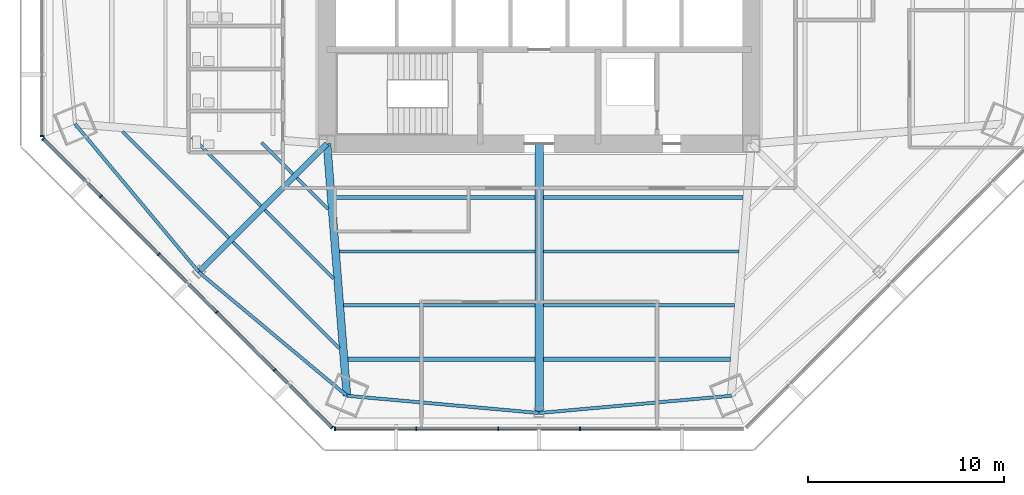
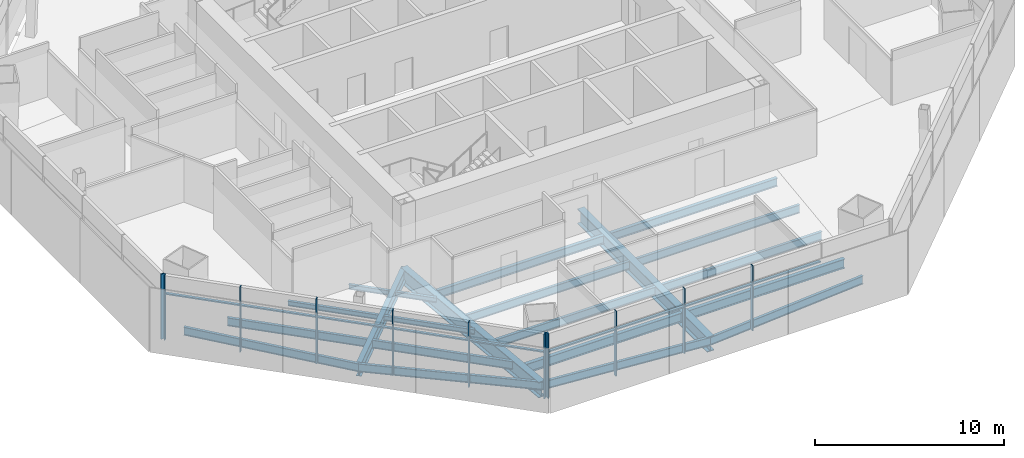
# One storey, part 2 of 16: 21 beams, 20 members, 3 elements without a shape of their own.
"""IFC4 building model written with IfcOpenShell, lengths in metres."""

from ifc_helpers import new_model, si_unit, direction, frame, origin, origin_2d, place, context, subcontext, project, spatial, rectangle, i_section, extrude, source, transform, mapped, material, material_profile, profile_set, type_object, type_shapes, element, aggregate, save


model = new_model("IFC4")

# Units and contexts
model_context = context("Model", 3, precision=1e-05, world=origin(), true_north=direction((0.0, 1.0)))
body_context = subcontext(model_context, "Body", "Model", "MODEL_VIEW")
ifc_project = project(units=[si_unit("LENGTHUNIT", "METRE"), si_unit("AREAUNIT", "SQUARE_METRE"), si_unit("VOLUMEUNIT", "CUBIC_METRE"), si_unit("PLANEANGLEUNIT", "RADIAN"), si_unit("MASSUNIT", "GRAM", prefix="KILO")], contexts=[model_context])

# Site, building, storey
site_placement = place(None, origin())
site = spatial("IfcSite", under=ifc_project, at=site_placement, CompositionType="ELEMENT")
building_placement = place(site_placement, origin())
building = spatial("IfcBuilding", under=site, at=building_placement, Name="Mashrafa Tower", CompositionType="ELEMENT")
storey_placement = place(building_placement, frame((0.0, 0.0, 96.0)))
storey = spatial("IfcBuildingStorey", under=building, at=storey_placement, Name="L21", CompositionType="ELEMENT", Elevation=96.0)

# Beams
ifc_material_1 = material(Name="Steel ASTM A992", Category="steel")
ifc_material_profile_1 = material_profile(ifc_material_1, i_section(OverallWidth=0.164794921875, OverallDepth=0.309814453125, WebThickness=0.005859375, FlangeThickness=0.009765625, FilletRadius=0.007568359375, at=origin_2d()), Name="W12X26")
ifc_profile_set_1 = profile_set([ifc_material_profile_1], Name="Steel ASTM A992")
beam_type_1 = type_object("IfcBeamType", Name="Beam W12X26", PredefinedType="BEAM", material=ifc_profile_set_1)
beam_1_placement = place(storey_placement, frame((-14.166748046875, -13.960205078125, -0.31982421875), z_axis=(-0.707082131725, 0.707131429789, 0.0), x_axis=(-0.707131429789, -0.707082131725, 0.0)))
element("IfcBeam", 1, at=beam_1_placement, inside=storey, type_object=beam_type_1, Name="Floor beam L21 012", PredefinedType="BEAM", context=body_context, shape_type="SweptSolid", body=[
    extrude(i_section(OverallWidth=0.164794921875, OverallDepth=0.309814453125, WebThickness=0.005859375, FlangeThickness=0.009765625, FilletRadius=0.007568359375, at=origin_2d()), origin(), (0.0, 0.0, 1.0), 4.952392578125),
])
for number, where, z_axis, x_axis, name in (
    (2, (-12.534912109375, -12.328369140625, -0.31982421875), (-0.707106781187, 0.707106781187, 0.0), (-0.707106781187, -0.707106781187, 0.0), "Floor beam L21 016"),
    (3, (-10.73828125, -14.125, -0.31982421875), (-0.707106781187, 0.707106781187, 0.0), (-0.707106781187, -0.707106781187, 0.0), "Floor beam L21 019"),
):
    element("IfcBeam", number, at=place(storey_placement, frame(where, z_axis=z_axis, x_axis=x_axis)), inside=storey, type_object=beam_type_1, Name=name, PredefinedType="BEAM", context=body_context, shape_type="SweptSolid", body=[
        extrude(i_section(OverallWidth=0.164794921875, OverallDepth=0.309814453125, WebThickness=0.005859375, FlangeThickness=0.009765625, FilletRadius=0.007568359375, at=origin_2d()), origin(), (0.0, 0.0, 1.0), 2.248779296875),
    ])
beam_2_placement = place(storey_placement, frame((-10.458251953125, -17.66845703125, -0.31982421875), z_axis=(-0.707131429789, 0.707082131725, 0.0), x_axis=(-0.707082131725, -0.707131429789, 0.0)))
element("IfcBeam", 4, at=beam_2_placement, inside=storey, type_object=beam_type_1, Name="Floor beam L21 021", PredefinedType="BEAM", context=body_context, shape_type="SweptSolid", body=[
    extrude(i_section(OverallWidth=0.164794921875, OverallDepth=0.309814453125, WebThickness=0.005859375, FlangeThickness=0.009765625, FilletRadius=0.007568359375, at=origin_2d()), origin(), (0.0, 0.0, 1.0), 4.952392578125),
])
ifc_material_2 = material(Name="Steel ASTM A992", Category="steel")
ifc_material_profile_2 = material_profile(ifc_material_2, i_section(OverallWidth=0.1650390625, OverallDepth=0.52587890625, WebThickness=0.0087890625, FlangeThickness=0.011474609375, FilletRadius=0.0126953125, at=origin_2d()), Name="W21X44")
ifc_profile_set_2 = profile_set([ifc_material_profile_2], Name="Steel ASTM A992")
beam_type_2 = type_object("IfcBeamType", Name="Beam W21X44", PredefinedType="BEAM", material=ifc_profile_set_2)
for number, where, z_axis, x_axis, name in (
    (5, (-0.212158203125, -19.022216796875, -0.427978515625), (-1.0, 0.0, 0.0), (0.0, -1.0, 0.0), "Floor beam L21 026"),
    (6, (9.948486328125, -19.022216796875, -0.427978515625), (-1.0, 0.0, 0.0), (0.0, -1.0, 0.0), "Floor beam L21 035"),
):
    element("IfcBeam", number, at=place(storey_placement, frame(where, z_axis=z_axis, x_axis=x_axis)), inside=storey, type_object=beam_type_2, Name=name, PredefinedType="BEAM", context=body_context, shape_type="SweptSolid", body=[
        extrude(i_section(OverallWidth=0.1650390625, OverallDepth=0.52587890625, WebThickness=0.0087890625, FlangeThickness=0.011474609375, FilletRadius=0.0126953125, at=origin_2d()), origin(), (0.0, 0.0, 1.0), 9.736328125),
    ])
ifc_material_3 = material(Name="Steel ASTM A992", Category="steel")
ifc_material_profile_3 = material_profile(ifc_material_3, i_section(OverallWidth=0.165771484375, OverallDepth=0.5283203125, WebThickness=0.009765625, FlangeThickness=0.013671875, FilletRadius=0.012939453125, at=origin_2d()), Name="W21X50")
ifc_profile_set_3 = profile_set([ifc_material_profile_3], Name="Steel ASTM A992")
beam_type_3 = type_object("IfcBeamType", Name="Beam W21X50", PredefinedType="BEAM", material=ifc_profile_set_3)
for number, where, z_axis, x_axis, name in (
    (7, (-15.79833984375, -15.591796875, -0.42919921875), (-0.707090836864, 0.707122725149, 0.0), (-0.707122725149, -0.707090836864, 0.0), "Floor beam L21 009"),
    (8, (-10.177978515625, -21.2119140625, -0.42919921875), (-0.707122725149, 0.707090836864, 0.0), (-0.707090836864, -0.707122725149, 0.0), "Floor beam L21 023"),
):
    element("IfcBeam", number, at=place(storey_placement, frame(where, z_axis=z_axis, x_axis=x_axis)), inside=storey, type_object=beam_type_3, Name=name, PredefinedType="BEAM", context=body_context, shape_type="SweptSolid", body=[
        extrude(i_section(OverallWidth=0.165771484375, OverallDepth=0.5283203125, WebThickness=0.009765625, FlangeThickness=0.013671875, FilletRadius=0.012939453125, at=origin_2d()), origin(), (0.0, 0.0, 1.0), 7.656005859375),
    ])
for number, where, z_axis, x_axis, name in (
    (9, (-0.212158203125, -16.281494140625, -0.42919921875), (-1.0, 0.0, 0.0), (0.0, -1.0, 0.0), "Floor beam L21 027"),
    (10, (10.165283203125, -16.281494140625, -0.42919921875), (-1.0, 0.0, 0.0), (0.0, -1.0, 0.0), "Floor beam L21 037"),
):
    element("IfcBeam", number, at=place(storey_placement, frame(where, z_axis=z_axis, x_axis=x_axis)), inside=storey, type_object=beam_type_3, Name=name, PredefinedType="BEAM", context=body_context, shape_type="SweptSolid", body=[
        extrude(i_section(OverallWidth=0.165771484375, OverallDepth=0.5283203125, WebThickness=0.009765625, FlangeThickness=0.013671875, FilletRadius=0.012939453125, at=origin_2d()), origin(), (0.0, 0.0, 1.0), 9.953125),
    ])
for number, where, z_axis, x_axis, name in (
    (11, (-23.62548828125, -9.785888671875, -0.42919921875), (0.641076048698, -0.76747736109, 0.0), (0.76747736109, 0.641076048698, 0.0), "Spandrel beam L21 074"),
    (12, (-17.32666015625, -17.32666015625, -0.42919921875), (0.76747736109, -0.641076048698, 0.0), (0.641076048698, 0.76747736109, 0.0), "Spandrel beam L21 076"),
):
    element("IfcBeam", number, at=place(storey_placement, frame(where, z_axis=z_axis, x_axis=x_axis)), inside=storey, type_object=beam_type_3, Name=name, PredefinedType="BEAM", context=body_context, shape_type="SweptSolid", body=[
        extrude(i_section(OverallWidth=0.165771484375, OverallDepth=0.5283203125, WebThickness=0.009765625, FlangeThickness=0.013671875, FilletRadius=0.012939453125, at=origin_2d()), origin(), (0.0, 0.0, 1.0), 9.825439453125),
    ])
for number, where, z_axis, x_axis, name in (
    (13, (-9.785888671875, -23.62548828125, -0.42919921875), (0.995997631902, -0.089379624328, 0.0), (0.089379624328, 0.995997631902, 0.0), "Spandrel beam L21 078"),
    (14, (0.0, -24.503662109375, -0.42919921875), (0.995997631902, 0.089379624328, 0.0), (-0.089379624328, 0.995997631902, 0.0), "Spandrel beam L21 080"),
):
    element("IfcBeam", number, at=place(storey_placement, frame(where, z_axis=z_axis, x_axis=x_axis)), inside=storey, type_object=beam_type_3, Name=name, PredefinedType="BEAM", context=body_context, shape_type="SweptSolid", body=[
        extrude(i_section(OverallWidth=0.165771484375, OverallDepth=0.5283203125, WebThickness=0.009765625, FlangeThickness=0.013671875, FilletRadius=0.012939453125, at=origin_2d()), origin(), (0.0, 0.0, 1.0), 9.8251953125),
    ])
ifc_material_4 = material(Name="Steel ASTM A992", Category="steel")
ifc_material_profile_4 = material_profile(ifc_material_4, i_section(OverallWidth=0.209228515625, OverallDepth=0.533447265625, WebThickness=0.01025390625, FlangeThickness=0.015625, FilletRadius=0.012939453125, at=origin_2d()), Name="W21X62")
ifc_profile_set_4 = profile_set([ifc_material_profile_4], Name="Steel ASTM A992")
beam_type_4 = type_object("IfcBeamType", Name="Beam W21X62", PredefinedType="BEAM", material=ifc_profile_set_4)
for number, where, z_axis, x_axis, name in (
    (15, (-0.212158203125, -13.540771484375, -0.431640625), (-1.0, 0.0, 0.0), (0.0, -1.0, 0.0), "Floor beam L21 028"),
    (16, (10.382080078125, -13.540771484375, -0.431640625), (-1.0, 0.0, 0.0), (0.0, -1.0, 0.0), "Floor beam L21 039"),
):
    element("IfcBeam", number, at=place(storey_placement, frame(where, z_axis=z_axis, x_axis=x_axis)), inside=storey, type_object=beam_type_4, Name=name, PredefinedType="BEAM", context=body_context, shape_type="SweptSolid", body=[
        extrude(i_section(OverallWidth=0.209228515625, OverallDepth=0.533447265625, WebThickness=0.01025390625, FlangeThickness=0.015625, FilletRadius=0.012939453125, at=origin_2d()), origin(), (0.0, 0.0, 1.0), 10.169921875),
    ])
ifc_material_5 = material(Name="Steel ASTM A992", Category="steel")
ifc_material_profile_5 = material_profile(ifc_material_5, i_section(OverallWidth=0.227783203125, OverallDepth=0.60205078125, WebThickness=0.010498046875, FlangeThickness=0.014892578125, FilletRadius=0.012939453125, at=origin_2d()), Name="W24X68")
ifc_profile_set_5 = profile_set([ifc_material_profile_5], Name="Steel ASTM A992")
beam_type_5 = type_object("IfcBeamType", Name="Beam W24X68", PredefinedType="BEAM", material=ifc_profile_set_5)
for number, where, z_axis, x_axis, name in (
    (17, (-0.212158203125, -21.762939453125, -0.466064453125), (-1.0, 0.0, 0.0), (0.0, -1.0, 0.0), "Floor beam L21 025"),
    (18, (9.73193359375, -21.762939453125, -0.466064453125), (-1.0, 0.0, 0.0), (0.0, -1.0, 0.0), "Floor beam L21 033"),
):
    element("IfcBeam", number, at=place(storey_placement, frame(where, z_axis=z_axis, x_axis=x_axis)), inside=storey, type_object=beam_type_5, Name=name, PredefinedType="BEAM", context=body_context, shape_type="SweptSolid", body=[
        extrude(i_section(OverallWidth=0.227783203125, OverallDepth=0.60205078125, WebThickness=0.010498046875, FlangeThickness=0.014892578125, FilletRadius=0.012939453125, at=origin_2d()), origin(), (0.0, 0.0, 1.0), 9.519775390625),
    ])
ifc_material_6 = material(Name="Steel ASTM A992", Category="steel")
ifc_material_profile_6 = material_profile(ifc_material_6, i_section(OverallWidth=0.2919921875, OverallDepth=0.845703125, WebThickness=0.015380859375, FlangeThickness=0.0244140625, FilletRadius=0.017333984375, at=origin_2d()), Name="W33X141")
ifc_profile_set_6 = profile_set([ifc_material_profile_6], Name="Steel ASTM A992")
beam_type_6 = type_object("IfcBeamType", Name="Beam W33X141", PredefinedType="BEAM", material=ifc_profile_set_6)
beam_3_placement = place(storey_placement, frame((-10.800048828125, -10.800048828125, -0.587890625), z_axis=(-0.707106781187, -0.707106781187, 0.0), x_axis=(0.707106781187, -0.707106781187, 0.0)))
element("IfcBeam", 19, at=beam_3_placement, inside=storey, type_object=beam_type_6, Name="Radial girder L21 058", PredefinedType="BEAM", context=body_context, shape_type="SweptSolid", body=[
    extrude(i_section(OverallWidth=0.2919921875, OverallDepth=0.845703125, WebThickness=0.015380859375, FlangeThickness=0.0244140625, FilletRadius=0.017333984375, at=origin_2d()), origin(), (0.0, 0.0, 1.0), 9.22998046875),
])
ifc_material_7 = material(Name="Steel ASTM A992", Category="steel")
ifc_material_profile_7 = material_profile(ifc_material_7, i_section(OverallWidth=0.424072265625, OverallDepth=0.960205078125, WebThickness=0.028564453125, FlangeThickness=0.051025390625, FilletRadius=0.02001953125, at=origin_2d()), Name="W36X361")
ifc_profile_set_7 = profile_set([ifc_material_profile_7], Name="Steel ASTM A992")
beam_type_7 = type_object("IfcBeamType", Name="Beam W36X361", PredefinedType="BEAM", material=ifc_profile_set_7)
beam_4_placement = place(storey_placement, frame((0.0, -10.800048828125, -0.64501953125), z_axis=(0.0, -1.0, 0.0), x_axis=(1.0, 0.0, 0.0)))
element("IfcBeam", 20, at=beam_4_placement, inside=storey, type_object=beam_type_7, Name="Radial girder L21 064", PredefinedType="BEAM", context=body_context, shape_type="SweptSolid", body=[
    extrude(i_section(OverallWidth=0.424072265625, OverallDepth=0.960205078125, WebThickness=0.028564453125, FlangeThickness=0.051025390625, FilletRadius=0.02001953125, at=origin_2d()), origin(), (0.0, 0.0, 1.0), 13.70361328125),
])
ifc_material_8 = material(Name="Steel ASTM A992", Category="steel")
ifc_material_profile_8 = material_profile(ifc_material_8, i_section(OverallWidth=0.4013671875, OverallDepth=1.010986328125, WebThickness=0.023681640625, FlangeThickness=0.0419921875, FilletRadius=0.02001953125, at=origin_2d()), Name="W40X297")
ifc_profile_set_8 = profile_set([ifc_material_profile_8], Name="Steel ASTM A992")
beam_type_8 = type_object("IfcBeamType", Name="Beam W40X297", PredefinedType="BEAM", material=ifc_profile_set_8)
beam_5_placement = place(storey_placement, frame((-10.800048828125, -10.800048828125, -0.67041015625), z_axis=(0.078828045218, -0.996888228081, 0.0), x_axis=(0.996888228081, 0.078828045218, 0.0)))
element("IfcBeam", 21, at=beam_5_placement, inside=storey, type_object=beam_type_8, Name="Radial girder L21 059", PredefinedType="BEAM", context=body_context, shape_type="SweptSolid", body=[
    extrude(i_section(OverallWidth=0.4013671875, OverallDepth=1.010986328125, WebThickness=0.023681640625, FlangeThickness=0.0419921875, FilletRadius=0.02001953125, at=origin_2d()), origin(), (0.0, 0.0, 1.0), 12.865478515625),
])

# Curtain wall, member
ifc_material_9 = material(Name="Unitised aluminium curtain wall", Category="aluminium")
curtain_wall_type = type_object("IfcCurtainWallType", Name="Office curtain wall, zone 1 CW-A 200 deep", PredefinedType="NOTDEFINED", material=ifc_material_9)
curtain_wall_1_placement = place(storey_placement, origin())
curtain_wall_1 = element("IfcCurtainWall", 22, at=curtain_wall_1_placement, inside=storey, type_object=curtain_wall_type, Name="Office curtain wall, zone 1 L21 west", PredefinedType="NOTDEFINED")
ifc_material_10 = material(Name="Extruded aluminium mullion", Category="aluminium")
ifc_material_profile_9 = material_profile(ifc_material_10, rectangle(XDim=0.199951171875, YDim=0.06494140625, at=origin_2d()), Name="Mullion 65x200")
ifc_profile_set_9 = profile_set([ifc_material_profile_9], Name="Extruded aluminium mullion")
member_type_1 = type_object("IfcMemberType", Name="Mullion CW-A 65 x 200", PredefinedType="MULLION", material=ifc_profile_set_9)
shared_shape_1 = source(origin(), body_context, "Body", "SweptSolid", [
    extrude(rectangle(XDim=0.199951171875, YDim=0.06494140625, at=origin_2d()), origin(), (0.0, 0.0, 1.0), 4.199951171875),
])
type_shapes(member_type_1, [shared_shape_1])
member_1_placement = place(storey_placement, frame((-25.299072265625, -10.395263671875, 0.0), z_axis=(0.0, 0.0, 1.0), x_axis=(1.0, 0.0, 0.0)))
member_1 = element("IfcMember", 23, at=member_1_placement, type_object=member_type_1, Name="CW-A mullion 6", PredefinedType="MULLION", context=body_context, shape_type="MappedRepresentation", body=[
    mapped(shared_shape_1, transform((0.0, 0.0, 0.0))),
])
aggregate(curtain_wall_1, [member_1])

# Curtain wall, members
curtain_wall_2_placement = place(storey_placement, origin())
curtain_wall_2 = element("IfcCurtainWall", 24, at=curtain_wall_2_placement, inside=storey, type_object=curtain_wall_type, Name="Office curtain wall, zone 1 L21 south-west", PredefinedType="NOTDEFINED")
member_2_placement = place(storey_placement, frame((-25.23974609375, -10.53857421875, 0.0), z_axis=(0.0, 0.0, 1.0), x_axis=(0.707106781187, 0.707106781187, 0.0)))
member_2 = element("IfcMember", 25, at=member_2_placement, type_object=member_type_1, Name="CW-A mullion 1", PredefinedType="MULLION", context=body_context, shape_type="MappedRepresentation", body=[
    mapped(shared_shape_1, transform((0.0, 0.0, 0.0))),
])
member_3_placement = place(storey_placement, frame((-22.313232421875, -13.465087890625, 0.0), z_axis=(0.0, 0.0, 1.0), x_axis=(0.707106781187, 0.707106781187, 0.0)))
member_3 = element("IfcMember", 26, at=member_3_placement, type_object=member_type_1, Name="CW-A mullion 2", PredefinedType="MULLION", context=body_context, shape_type="MappedRepresentation", body=[
    mapped(shared_shape_1, transform((0.0, 0.0, 0.0))),
])
member_4_placement = place(storey_placement, frame((-19.36376953125, -16.414306640625, 0.0), z_axis=(0.0, 0.0, 1.0), x_axis=(0.707106781187, 0.707106781187, 0.0)))
member_4 = element("IfcMember", 27, at=member_4_placement, type_object=member_type_1, Name="CW-A mullion 3", PredefinedType="MULLION", context=body_context, shape_type="MappedRepresentation", body=[
    mapped(shared_shape_1, transform((0.0, 0.0, 0.0))),
])
member_5_placement = place(storey_placement, frame((-16.414306640625, -19.36376953125, 0.0), z_axis=(0.0, 0.0, 1.0), x_axis=(0.707106781187, 0.707106781187, 0.0)))
member_5 = element("IfcMember", 28, at=member_5_placement, type_object=member_type_1, Name="CW-A mullion 4", PredefinedType="MULLION", context=body_context, shape_type="MappedRepresentation", body=[
    mapped(shared_shape_1, transform((0.0, 0.0, 0.0))),
])
member_6_placement = place(storey_placement, frame((-13.465087890625, -22.313232421875, 0.0), z_axis=(0.0, 0.0, 1.0), x_axis=(0.707106781187, 0.707106781187, 0.0)))
member_6 = element("IfcMember", 29, at=member_6_placement, type_object=member_type_1, Name="CW-A mullion 5", PredefinedType="MULLION", context=body_context, shape_type="MappedRepresentation", body=[
    mapped(shared_shape_1, transform((0.0, 0.0, 0.0))),
])
member_7_placement = place(storey_placement, frame((-10.53857421875, -25.23974609375, 0.0), z_axis=(0.0, 0.0, 1.0), x_axis=(0.707106781187, 0.707106781187, 0.0)))
member_7 = element("IfcMember", 30, at=member_7_placement, type_object=member_type_1, Name="CW-A mullion 6", PredefinedType="MULLION", context=body_context, shape_type="MappedRepresentation", body=[
    mapped(shared_shape_1, transform((0.0, 0.0, 0.0))),
])

curtain_wall_3_placement = place(storey_placement, origin())
curtain_wall_3 = element("IfcCurtainWall", 31, at=curtain_wall_3_placement, inside=storey, type_object=curtain_wall_type, Name="Office curtain wall, zone 1 L21 south", PredefinedType="NOTDEFINED")
member_8_placement = place(storey_placement, frame((-10.395263671875, -25.299072265625, 0.0), z_axis=(0.0, 0.0, 1.0), x_axis=(0.0, 1.0, 0.0)))
member_8 = element("IfcMember", 32, at=member_8_placement, type_object=member_type_1, Name="CW-A mullion 1", PredefinedType="MULLION", context=body_context, shape_type="MappedRepresentation", body=[
    mapped(shared_shape_1, transform((0.0, 0.0, 0.0))),
])
member_9_placement = place(storey_placement, frame((-6.256591796875, -25.299072265625, 0.0), z_axis=(0.0, 0.0, 1.0), x_axis=(0.0, 1.0, 0.0)))
member_9 = element("IfcMember", 33, at=member_9_placement, type_object=member_type_1, Name="CW-A mullion 2", PredefinedType="MULLION", context=body_context, shape_type="MappedRepresentation", body=[
    mapped(shared_shape_1, transform((0.0, 0.0, 0.0))),
])
member_10_placement = place(storey_placement, frame((-2.08544921875, -25.299072265625, 0.0), z_axis=(0.0, 0.0, 1.0), x_axis=(0.0, 1.0, 0.0)))
member_10 = element("IfcMember", 34, at=member_10_placement, type_object=member_type_1, Name="CW-A mullion 3", PredefinedType="MULLION", context=body_context, shape_type="MappedRepresentation", body=[
    mapped(shared_shape_1, transform((0.0, 0.0, 0.0))),
])
member_11_placement = place(storey_placement, frame((2.08544921875, -25.299072265625, 0.0), z_axis=(0.0, 0.0, 1.0), x_axis=(0.0, 1.0, 0.0)))
member_11 = element("IfcMember", 35, at=member_11_placement, type_object=member_type_1, Name="CW-A mullion 4", PredefinedType="MULLION", context=body_context, shape_type="MappedRepresentation", body=[
    mapped(shared_shape_1, transform((0.0, 0.0, 0.0))),
])

# Member
ifc_material_11 = material(Name="Extruded aluminium transom", Category="aluminium")
ifc_material_profile_10 = material_profile(ifc_material_11, rectangle(XDim=0.159912109375, YDim=0.080078125, at=origin_2d()), Name="Transom 80x160")
ifc_profile_set_10 = profile_set([ifc_material_profile_10], Name="Extruded aluminium transom")
member_type_2 = type_object("IfcMemberType", Name="Transom CW-A 80 x 160", PredefinedType="MULLION", material=ifc_profile_set_10)
shared_shape_2 = source(origin(), body_context, "Body", "SweptSolid", [
    extrude(rectangle(XDim=0.159912109375, YDim=0.080078125, at=origin_2d()), origin(), (0.0, 0.0, 1.0), 4.07373046875),
])
member_12_placement = place(storey_placement, frame((-25.216796875, -10.5615234375, 3.0), z_axis=(0.707136746513, -0.707076814591, 0.0), x_axis=(0.707076814591, 0.707136746513, 0.0)))
member_12 = element("IfcMember", 36, at=member_12_placement, type_object=member_type_2, Name="CW-A transom 1", PredefinedType="MULLION", context=body_context, shape_type="MappedRepresentation", body=[
    mapped(shared_shape_2, transform((0.0, 0.0, 0.0))),
])

member_13_placement = place(storey_placement, frame((-13.44189453125, -22.336181640625, 3.0), z_axis=(0.707076814591, -0.707136746513, 0.0), x_axis=(0.707136746513, 0.707076814591, 0.0)))
member_13 = element("IfcMember", 37, at=member_13_placement, type_object=member_type_2, Name="CW-A transom 5", PredefinedType="MULLION", context=body_context, shape_type="MappedRepresentation", body=[
    mapped(shared_shape_2, transform((0.0, 0.0, 0.0))),
])

member_14_placement = place(storey_placement, frame((-10.36279296875, -25.299072265625, 3.0), z_axis=(1.0, 0.0, 0.0), x_axis=(0.0, 1.0, 0.0)))
member_14 = element("IfcMember", 38, at=member_14_placement, type_object=member_type_2, Name="CW-A transom 1", PredefinedType="MULLION", context=body_context, shape_type="MappedRepresentation", body=[
    mapped(shared_shape_2, transform((0.0, 0.0, 0.0))),
])

shared_shape_3 = source(origin(), body_context, "Body", "SweptSolid", [
    extrude(rectangle(XDim=0.159912109375, YDim=0.080078125, at=origin_2d()), origin(), (0.0, 0.0, 1.0), 4.10595703125),
])
member_15_placement = place(storey_placement, frame((-6.22412109375, -25.299072265625, 3.0), z_axis=(1.0, 0.0, 0.0), x_axis=(0.0, 1.0, 0.0)))
member_15 = element("IfcMember", 39, at=member_15_placement, type_object=member_type_2, Name="CW-A transom 2", PredefinedType="MULLION", context=body_context, shape_type="MappedRepresentation", body=[
    mapped(shared_shape_3, transform((0.0, 0.0, 0.0))),
])

member_16_placement = place(storey_placement, frame((-2.052978515625, -25.299072265625, 3.0), z_axis=(1.0, 0.0, 0.0), x_axis=(0.0, 1.0, 0.0)))
member_16 = element("IfcMember", 40, at=member_16_placement, type_object=member_type_2, Name="CW-A transom 3", PredefinedType="MULLION", context=body_context, shape_type="MappedRepresentation", body=[
    mapped(shared_shape_3, transform((0.0, 0.0, 0.0))),
])

member_17_placement = place(storey_placement, frame((2.1181640625, -25.299072265625, 3.0), z_axis=(1.0, 0.0, 0.0), x_axis=(0.0, 1.0, 0.0)))
member_17 = element("IfcMember", 41, at=member_17_placement, type_object=member_type_2, Name="CW-A transom 4", PredefinedType="MULLION", context=body_context, shape_type="MappedRepresentation", body=[
    mapped(shared_shape_3, transform((0.0, 0.0, 0.0))),
])

aggregate(curtain_wall_3, [member_8, member_9, member_10, member_11, member_14, member_15, member_16, member_17])

shared_shape_4 = source(origin(), body_context, "Body", "SweptSolid", [
    extrude(rectangle(XDim=0.159912109375, YDim=0.080078125, at=origin_2d()), origin(), (0.0, 0.0, 1.0), 4.106201171875),
])
type_shapes(member_type_2, [shared_shape_2, shared_shape_3, shared_shape_4])
member_18_placement = place(storey_placement, frame((-22.290283203125, -13.488037109375, 3.0), z_axis=(0.707136509667, -0.707077051456, 0.0), x_axis=(0.707077051456, 0.707136509667, 0.0)))
member_18 = element("IfcMember", 42, at=member_18_placement, type_object=member_type_2, Name="CW-A transom 2", PredefinedType="MULLION", context=body_context, shape_type="MappedRepresentation", body=[
    mapped(shared_shape_4, transform((0.0, 0.0, 0.0))),
])

member_19_placement = place(storey_placement, frame((-19.3408203125, -16.437255859375, 3.0), z_axis=(0.707106781187, -0.707106781187, 0.0), x_axis=(0.707106781187, 0.707106781187, 0.0)))
member_19 = element("IfcMember", 43, at=member_19_placement, type_object=member_type_2, Name="CW-A transom 3", PredefinedType="MULLION", context=body_context, shape_type="MappedRepresentation", body=[
    mapped(shared_shape_4, transform((0.0, 0.0, 0.0))),
])

member_20_placement = place(storey_placement, frame((-16.391357421875, -19.38671875, 3.0), z_axis=(0.707077051456, -0.707136509667, 0.0), x_axis=(0.707136509667, 0.707077051456, 0.0)))
member_20 = element("IfcMember", 44, at=member_20_placement, type_object=member_type_2, Name="CW-A transom 4", PredefinedType="MULLION", context=body_context, shape_type="MappedRepresentation", body=[
    mapped(shared_shape_4, transform((0.0, 0.0, 0.0))),
])

aggregate(curtain_wall_2, [member_2, member_3, member_4, member_5, member_6, member_7, member_12, member_18, member_19, member_20, member_13])

save(model, "model.ifc")
